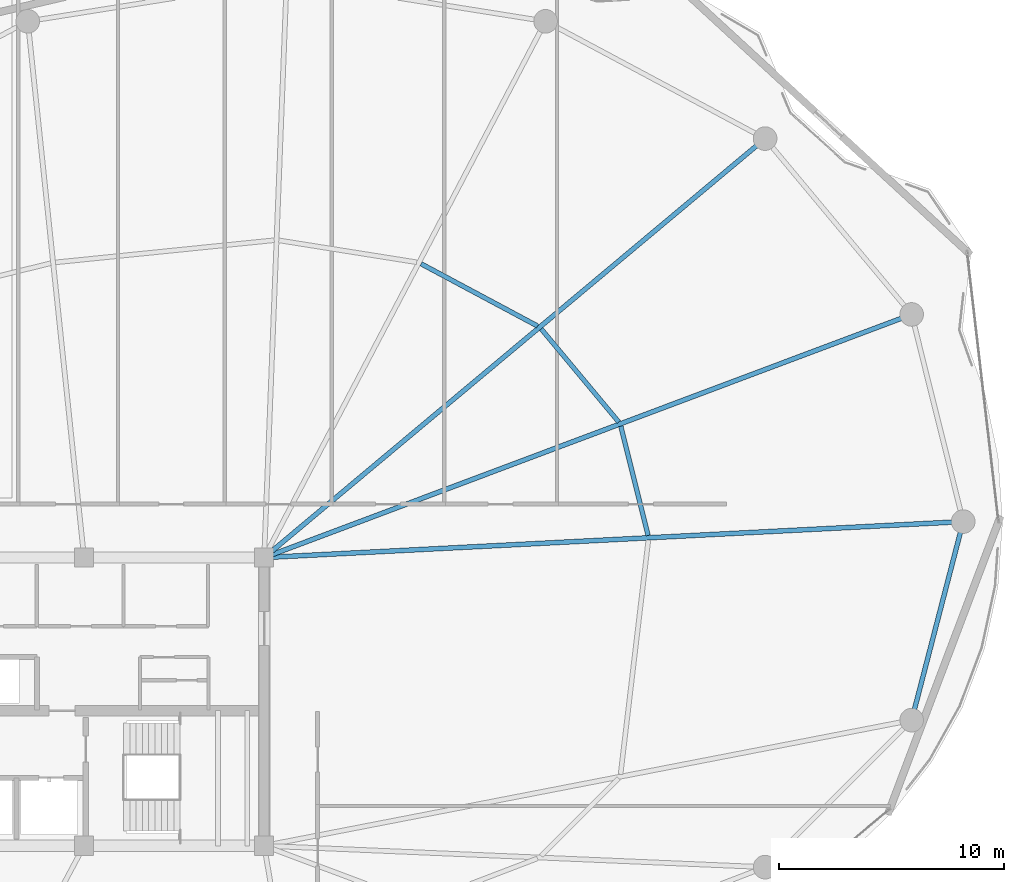
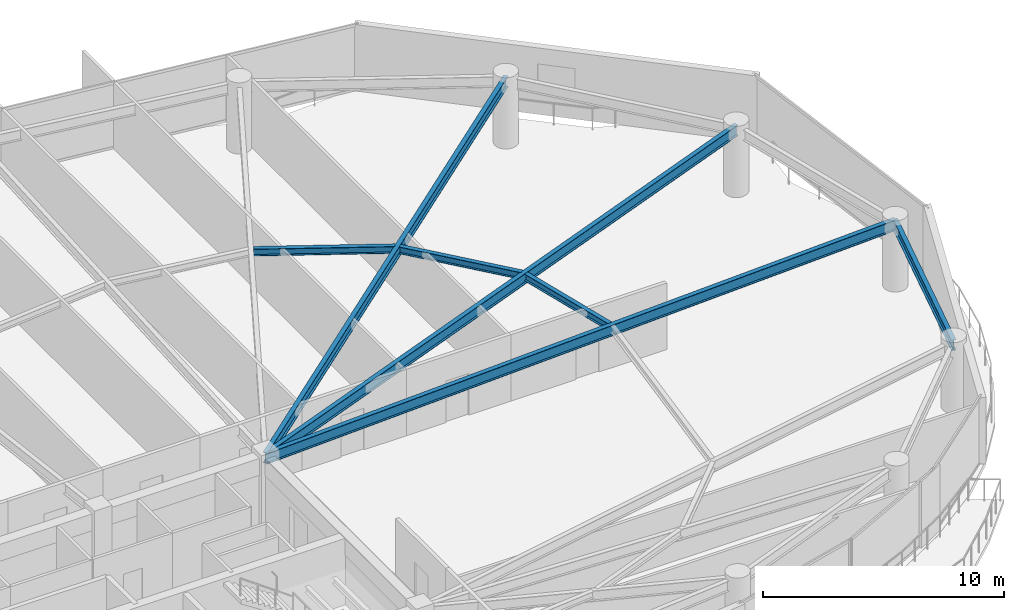
# One storey, part 15 of 30: 7 beams.
"""IFC4 building model written with IfcOpenShell, lengths in metres."""

from ifc_helpers import new_model, si_unit, direction, frame, origin, origin_2d, place, context, subcontext, project, spatial, i_section, extrude, material, material_profile, profile_set, type_object, element, save


model = new_model("IFC4")

# Units and contexts
model_context = context("Model", 3, precision=1e-05, world=origin(), true_north=direction((0.0, 1.0)))
body_context = subcontext(model_context, "Body", "Model", "MODEL_VIEW")
ifc_project = project(units=[si_unit("LENGTHUNIT", "METRE"), si_unit("AREAUNIT", "SQUARE_METRE"), si_unit("VOLUMEUNIT", "CUBIC_METRE"), si_unit("PLANEANGLEUNIT", "RADIAN"), si_unit("MASSUNIT", "GRAM", prefix="KILO")], contexts=[model_context])

# Site, building, storey
site_placement = place(None, origin())
site = spatial("IfcSite", under=ifc_project, at=site_placement, CompositionType="ELEMENT")
building_placement = place(site_placement, origin())
building = spatial("IfcBuilding", under=site, at=building_placement, Name="Kazevale Care Tower and Concert Hall", CompositionType="ELEMENT")
storey_placement = place(building_placement, frame((0.0, 0.0, 242.39990234375)))
storey = spatial("IfcBuildingStorey", under=building, at=storey_placement, Name="L64", CompositionType="ELEMENT", Elevation=242.39990234375)

# Beams
ifc_material = material(Name="Steel ASTM A572 Gr 50", Category="steel")
ifc_material_profile_1 = material_profile(ifc_material, i_section(OverallWidth=0.2119140625, OverallDepth=0.5439453125, WebThickness=0.01318359375, FlangeThickness=0.021240234375, at=origin_2d()), Name="W530x123")
ifc_profile_set_1 = profile_set([ifc_material_profile_1], Name="Steel ASTM A572 Gr 50")
beam_type_1 = type_object("IfcBeamType", Name="Radial Floor Girder W530x123", PredefinedType="BEAM", material=ifc_profile_set_1)
beam_1_placement = place(storey_placement, frame((44.0, 36.39990234375, 3.088134765625), z_axis=(0.998674821251, 0.051464564506, 0.0), x_axis=(-0.051464564506, 0.998674821251, 0.0)))
element("IfcBeam", 1, at=beam_1_placement, inside=storey, type_object=beam_type_1, Name="beam:L64:rad:01", PredefinedType="BEAM", context=body_context, shape_type="SweptSolid", body=[
    extrude(i_section(OverallWidth=0.2119140625, OverallDepth=0.5439453125, WebThickness=0.01318359375, FlangeThickness=0.021240234375, at=origin_2d()), origin(), (0.0, 0.0, 1.0), 31.09130859375),
])
beam_2_placement = place(storey_placement, frame((44.0, 36.39990234375, 3.088134765625), z_axis=(0.936168070124, 0.351552762015, 0.0), x_axis=(-0.351552762015, 0.936168070124, 0.0)))
element("IfcBeam", 2, at=beam_2_placement, inside=storey, type_object=beam_type_1, Name="beam:L64:rad:02", PredefinedType="BEAM", context=body_context, shape_type="SweptSolid", body=[
    extrude(i_section(OverallWidth=0.2119140625, OverallDepth=0.5439453125, WebThickness=0.01318359375, FlangeThickness=0.021240234375, at=origin_2d()), origin(), (0.0, 0.0, 1.0), 30.720947265625),
])
beam_3_placement = place(storey_placement, frame((44.0, 36.39990234375, 3.088134765625), z_axis=(0.767059624015, 0.64157582031, 0.0), x_axis=(-0.64157582031, 0.767059624015, 0.0)))
element("IfcBeam", 3, at=beam_3_placement, inside=storey, type_object=beam_type_1, Name="beam:L64:rad:03", PredefinedType="BEAM", context=body_context, shape_type="SweptSolid", body=[
    extrude(i_section(OverallWidth=0.2119140625, OverallDepth=0.5439453125, WebThickness=0.01318359375, FlangeThickness=0.021240234375, at=origin_2d()), origin(), (0.0, 0.0, 1.0), 29.0068359375),
])
ifc_material_profile_2 = material_profile(ifc_material, i_section(OverallWidth=0.205078125, OverallDepth=0.35400390625, WebThickness=0.009521484375, FlangeThickness=0.016845703125, at=origin_2d()), Name="W360x79")
ifc_profile_set_2 = profile_set([ifc_material_profile_2], Name="Steel ASTM A572 Gr 50")
beam_type_2 = type_object("IfcBeamType", Name="Secondary Floor Joist W360x79", PredefinedType="JOIST", material=ifc_profile_set_2)
beam_4_placement = place(storey_placement, frame((61.052001953125, 37.382080078125, 3.18310546875), z_axis=(-0.241594204931, 0.970377369967, 0.0), x_axis=(-0.970377369967, -0.241594204931, 0.0)))
element("IfcBeam", 4, at=beam_4_placement, inside=storey, type_object=beam_type_2, Name="beam:L64:joist:01", PredefinedType="JOIST", context=body_context, shape_type="SweptSolid", body=[
    extrude(i_section(OverallWidth=0.205078125, OverallDepth=0.35400390625, WebThickness=0.009521484375, FlangeThickness=0.016845703125, at=origin_2d()), origin(), (0.0, 0.0, 1.0), 5.004150390625),
])
beam_5_placement = place(storey_placement, frame((59.7509765625, 42.4208984375, 3.18310546875), z_axis=(-0.640295940788, 0.768128314939, 0.0), x_axis=(-0.768128314939, -0.640295940788, 0.0)))
element("IfcBeam", 5, at=beam_5_placement, inside=storey, type_object=beam_type_2, Name="beam:L64:joist:02", PredefinedType="JOIST", context=body_context, shape_type="SweptSolid", body=[
    extrude(i_section(OverallWidth=0.205078125, OverallDepth=0.35400390625, WebThickness=0.009521484375, FlangeThickness=0.016845703125, at=origin_2d()), origin(), (0.0, 0.0, 1.0), 5.3818359375),
])
beam_6_placement = place(storey_placement, frame((56.14501953125, 46.68505859375, 3.18310546875), z_axis=(-0.881943890935, 0.471354403016, 0.0), x_axis=(-0.471354403016, -0.881943890935, 0.0)))
element("IfcBeam", 6, at=beam_6_placement, inside=storey, type_object=beam_type_2, Name="beam:L64:joist:03", PredefinedType="JOIST", context=body_context, shape_type="SweptSolid", body=[
    extrude(i_section(OverallWidth=0.205078125, OverallDepth=0.35400390625, WebThickness=0.009521484375, FlangeThickness=0.016845703125, at=origin_2d()), origin(), (0.0, 0.0, 1.0), 5.869873046875),
])
ifc_material_profile_3 = material_profile(ifc_material, i_section(OverallWidth=0.208984375, OverallDepth=0.532958984375, WebThickness=0.01025390625, FlangeThickness=0.015625, at=origin_2d()), Name="W530x92")
ifc_profile_set_3 = profile_set([ifc_material_profile_3], Name="Steel ASTM A572 Gr 50")
beam_type_3 = type_object("IfcBeamType", Name="Upper Ring Beam W530x92", PredefinedType="BEAM", material=ifc_profile_set_3)
beam_7_placement = place(storey_placement, frame((72.760009765625, 29.179931640625, 3.093505859375), z_axis=(0.251307095899, 0.96790740443, 0.0), x_axis=(-0.96790740443, 0.251307095899, 0.0)))
element("IfcBeam", 7, at=beam_7_placement, inside=storey, type_object=beam_type_3, Name="beam:L64:ring:16", PredefinedType="BEAM", context=body_context, shape_type="SweptSolid", body=[
    extrude(i_section(OverallWidth=0.208984375, OverallDepth=0.532958984375, WebThickness=0.01025390625, FlangeThickness=0.015625, at=origin_2d()), origin(), (0.0, 0.0, 1.0), 9.112548828125),
])

save(model, "model.ifc")
